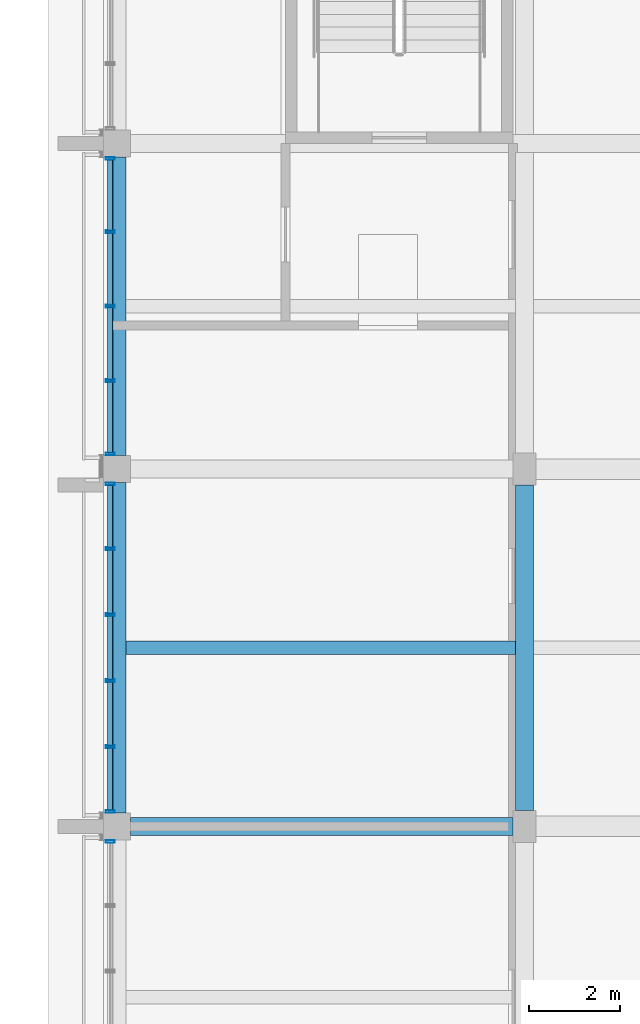
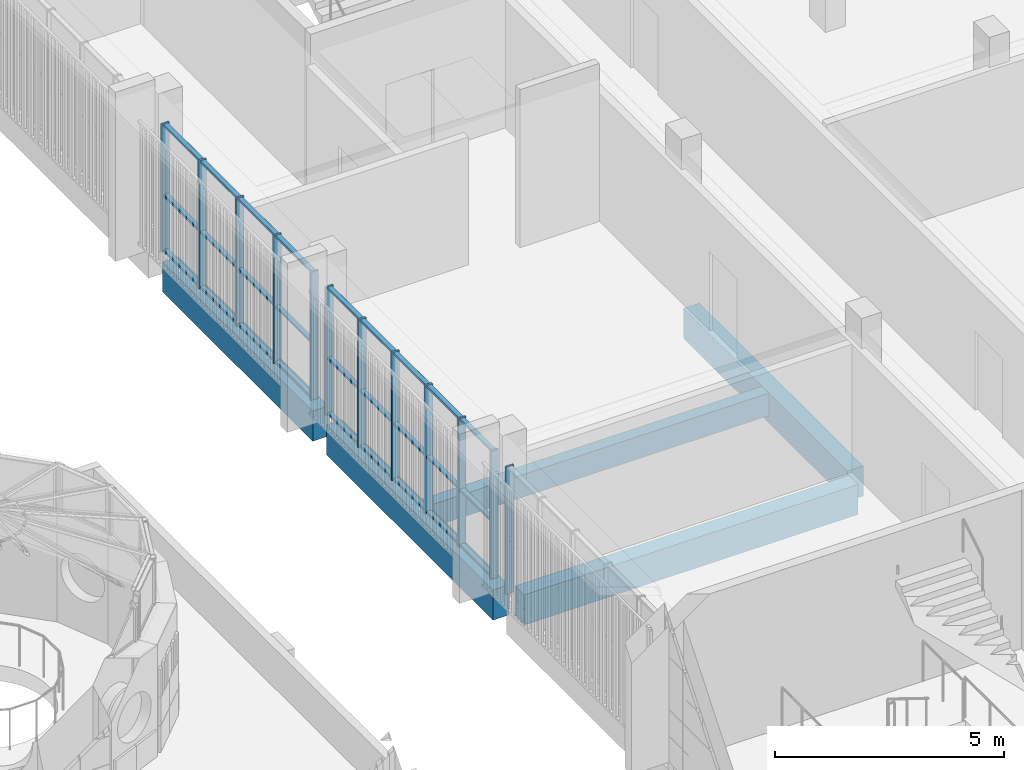
# One storey, part 20 of 98: 39 members, 5 beams, 3 elements without a shape of their own.
"""IFC4 building model written with IfcOpenShell, lengths in metres."""

import ifcopenshell
import ifcopenshell.guid

model = None  # the IFC model being written
_history = None  # IfcOwnerHistory: only IFC2X3 demands one
_inside = {}  # id of a spatial element -> (the spatial element, [elements in it])
_under = {}  # id of a project, library or spatial element -> (it, [spatial elements below it])
_declared = {}  # id of a project -> (the project, [libraries it declares])
_typed = {}  # id of a type object -> (the type object, [elements of that type])
_made_of = {}  # id of a material, layer set ... -> (it, [elements and type objects made of it])


def new_model(schema):
    """Start an empty IFC model of exactly this schema.

    Asked for "IFC4X3", IfcOpenShell would pick the latest addendum, in which some entities
    have other attributes; the version numbers below select the first issue.
    IFC2X3 requires an IfcOwnerHistory on every rooted entity: one is made here for all.
    """
    global model, _history
    if schema == "IFC4X3":
        model = ifcopenshell.file(schema_version=(4, 3, 0, 0))
    else:
        model = ifcopenshell.file(schema=schema)
    _inside.clear()
    _under.clear()
    _declared.clear()
    _typed.clear()
    _made_of.clear()
    _history = None
    if model.schema == "IFC2X3":
        org = make("IfcOrganization", Name="unknown")
        user = make(
            "IfcPersonAndOrganization",
            ThePerson=make("IfcPerson", FamilyName="unknown"),
            TheOrganization=org,
        )
        app = make(
            "IfcApplication",
            ApplicationDeveloper=org,
            Version="unknown",
            ApplicationFullName="unknown",
            ApplicationIdentifier="unknown",
        )
        _history = make(
            "IfcOwnerHistory",
            OwningUser=user,
            OwningApplication=app,
            ChangeAction="ADDED",
            CreationDate=0,
        )
    return model


def make(cls, **values):
    """One entity of the class cls with the attributes given. An attribute that is None is left unset."""
    return model.create_entity(
        cls, **{name: value for name, value in values.items() if value is not None}
    )


def rooted(cls, **values):
    """An entity with a GlobalId (a new one), such as an element, a storey or a relation."""
    return make(cls, GlobalId=ifcopenshell.guid.new(), OwnerHistory=_history, **values)


def si_unit(unit_type, name, prefix=None):
    """IfcSIUnit, for example si_unit("LENGTHUNIT", "METRE", prefix="MILLI")."""
    return make("IfcSIUnit", UnitType=unit_type, Prefix=prefix, Name=name)


def assignment(units):
    """IfcUnitAssignment: the units of a project."""
    return None if units is None else make("IfcUnitAssignment", Units=units)


def point(xyz):
    """IfcCartesianPoint."""
    return None if xyz is None else make("IfcCartesianPoint", Coordinates=xyz)


def direction(xyz):
    """IfcDirection."""
    return None if xyz is None else make("IfcDirection", DirectionRatios=xyz)


def frame(location, z_axis=None, x_axis=None):
    """IfcAxis2Placement3D, a coordinate frame: its origin and axes. An axis left out is left unset."""
    return make(
        "IfcAxis2Placement3D",
        Location=point(location),
        Axis=direction(z_axis),
        RefDirection=direction(x_axis),
    )


def frame_2d(location, x_axis=None):
    """IfcAxis2Placement2D, a coordinate frame in the plane: its origin and x axis."""
    return make(
        "IfcAxis2Placement2D", Location=point(location), RefDirection=direction(x_axis)
    )


def origin():
    """The frame at (0, 0, 0) with its axes left unset."""
    return frame((0.0, 0.0, 0.0))


def origin_2d():
    """The frame at (0, 0) in the plane with its x axis left unset."""
    return frame_2d((0.0, 0.0))


def place(relative_to, where):
    """IfcLocalPlacement: puts the frame where relative to a parent placement (None: the world)."""
    return make(
        "IfcLocalPlacement", PlacementRelTo=relative_to, RelativePlacement=where
    )


def context(
    kind, dimensions, precision=None, world=None, true_north=None, identifier=None
):
    """IfcGeometricRepresentationContext, for example the 3D "Model" context."""
    return make(
        "IfcGeometricRepresentationContext",
        ContextIdentifier=identifier,
        ContextType=kind,
        CoordinateSpaceDimension=dimensions,
        Precision=precision,
        WorldCoordinateSystem=world,
        TrueNorth=true_north,
    )


def subcontext(parent, identifier, kind, view, scale=None):
    """IfcGeometricRepresentationSubContext, for example "Body" below "Model"."""
    return make(
        "IfcGeometricRepresentationSubContext",
        ContextIdentifier=identifier,
        ContextType=kind,
        ParentContext=parent,
        TargetScale=scale,
        TargetView=view,
    )


def project(units=None, contexts=None):
    """IfcProject with its units and contexts."""
    return rooted(
        "IfcProject",
        Name="project",
        RepresentationContexts=contexts,
        UnitsInContext=assignment(units),
    )


def spatial(cls, under=None, at=None, **own):
    """A site, building, storey or space (cls), placed at a placement, below another one or the project."""
    s = rooted(cls, ObjectPlacement=at, **own)
    if under is not None:
        _under.setdefault(under.id(), (under, []))[1].append(s)
    return s


def profile(cls, at=None, kind="AREA", **sizes):
    """A parametric profile (cls). Its sizes go by their IFC names, for example OverallWidth=200.0."""
    return make(cls, ProfileType=kind, Position=at, **sizes)


def rectangle(**sizes):
    """IfcRectangleProfileDef."""
    return profile("IfcRectangleProfileDef", **sizes)


def hollow_rectangle(**sizes):
    """IfcRectangleHollowProfileDef."""
    return profile("IfcRectangleHollowProfileDef", **sizes)


def extrude(swept, where, along, depth):
    """IfcExtrudedAreaSolid: the profile swept, set in the frame where, extruded along a direction by depth."""
    return make(
        "IfcExtrudedAreaSolid",
        SweptArea=swept,
        Position=where,
        ExtrudedDirection=direction(along),
        Depth=depth,
    )


def shape(context_of_items, identifier, shape_type, items):
    """IfcShapeRepresentation: the items that make up one representation, for example the "Body"."""
    return make(
        "IfcShapeRepresentation",
        ContextOfItems=context_of_items,
        RepresentationIdentifier=identifier,
        RepresentationType=shape_type,
        Items=items,
    )


def material(Name=None, Category=None):
    """IfcMaterial."""
    return make("IfcMaterial", Name=Name, Category=Category)


def material_profile(
    of_material, cross_section, Name=None, Category=None, Priority=None
):
    """IfcMaterialProfile: a cross section and its material."""
    return make(
        "IfcMaterialProfile",
        Name=Name,
        Material=of_material,
        Profile=cross_section,
        Priority=Priority,
        Category=Category,
    )


def profile_set(profiles, Name=None, composite=None):
    """IfcMaterialProfileSet."""
    return make(
        "IfcMaterialProfileSet",
        Name=Name,
        MaterialProfiles=profiles,
        CompositeProfile=composite,
    )


def made_of(thing, what):
    """Note that an element or type object is made of a material, layer set ...; save() writes the relation."""
    if what is not None:
        _made_of.setdefault(what.id(), (what, []))[1].append(thing)
    return thing


def type_object(cls, material=None, **own):
    """A type object (cls), such as IfcWallType, which elements share."""
    return made_of(rooted(cls, **own), material)


def element(
    cls,
    number,
    at=None,
    inside=None,
    cuts=None,
    type_object=None,
    material=None,
    context=None,
    identifier="Body",
    shape_type=None,
    held_by="IfcProductDefinitionShape",
    body=None,
    shapes=None,
    **own,
):
    """One element of the class cls, such as IfcWall. Its Tag is "e" and its number.

    at: its placement. inside: the storey or other place that contains it. cuts: it is an
    opening in that element (IfcRelVoidsElement). A single representation is given by context,
    identifier, shape_type and body (its items); several are given by shapes. held_by: the class
    of the entity that holds the representations. save() writes the other relations.
    """
    e = rooted(cls, Tag="e%d" % number, ObjectPlacement=at, **own)
    if body is not None:
        shapes = [shape(context, identifier, shape_type, body)]
    if shapes is not None:
        e.Representation = make(held_by, Representations=shapes)
    if inside is not None:
        _inside.setdefault(inside.id(), (inside, []))[1].append(e)
    if cuts is not None:
        rooted(
            "IfcRelVoidsElement", RelatingBuildingElement=cuts, RelatedOpeningElement=e
        )
    if type_object is not None:
        _typed.setdefault(type_object.id(), (type_object, []))[1].append(e)
    return made_of(e, material)


def aggregate(whole, parts):
    """IfcRelAggregates: a whole, such as a stair, and the parts it consists of."""
    return rooted("IfcRelAggregates", RelatingObject=whole, RelatedObjects=parts)


def save(model, path):
    """Write the relations noted so far, then the file.

    IfcRelAggregates (storeys below a building ...), IfcRelContainedInSpatialStructure (elements
    in a storey), IfcRelDefinesByType, IfcRelAssociatesMaterial and IfcRelDeclares: one each for
    every whole, place, type object, material and project.
    """
    for whole, parts in _under.values():
        aggregate(whole, parts)
    for where, things in _inside.values():
        rooted(
            "IfcRelContainedInSpatialStructure",
            RelatedElements=things,
            RelatingStructure=where,
        )
    for kind, things in _typed.values():
        rooted("IfcRelDefinesByType", RelatedObjects=things, RelatingType=kind)
    for what, things in _made_of.values():
        rooted("IfcRelAssociatesMaterial", RelatedObjects=things, RelatingMaterial=what)
    for by, libraries in _declared.values():
        rooted("IfcRelDeclares", RelatingContext=by, RelatedDefinitions=libraries)
    model.write(path)


model = new_model("IFC4")

# Units and contexts
model_context = context("Model", 3, precision=1e-05, world=origin(), true_north=direction((0.0, 1.0)))
body_context = subcontext(model_context, "Body", "Model", "MODEL_VIEW")
ifc_project = project(units=[si_unit("LENGTHUNIT", "METRE"), si_unit("AREAUNIT", "SQUARE_METRE"), si_unit("VOLUMEUNIT", "CUBIC_METRE"), si_unit("PLANEANGLEUNIT", "RADIAN"), si_unit("MASSUNIT", "GRAM", prefix="KILO")], contexts=[model_context])

# Site, building, storey
site_placement = place(None, origin())
site = spatial("IfcSite", under=ifc_project, at=site_placement, CompositionType="ELEMENT")
building_placement = place(site_placement, origin())
building = spatial("IfcBuilding", under=site, at=building_placement, Name="Sun Court Science Centre", CompositionType="ELEMENT")
storey_placement = place(building_placement, frame((0.0, 0.0, 15.75)))
storey = spatial("IfcBuildingStorey", under=building, at=storey_placement, Name="L03", CompositionType="ELEMENT", Elevation=15.75)

# Curtain wall, member
ifc_material_1 = material(Name="Aluminium EN AW-6063 T6", Category="aluminium")
curtain_wall_type = type_object("IfcCurtainWallType", Name="Laboratory tall bay curtain wall 1500", PredefinedType="NOTDEFINED", material=ifc_material_1)
curtain_wall_1_placement = place(storey_placement, origin())
curtain_wall_1 = element("IfcCurtainWall", 1, at=curtain_wall_1_placement, inside=storey, type_object=curtain_wall_type, Name="Curtain wall V4 W L03 01", PredefinedType="NOTDEFINED")
ifc_material_2 = material(Name="Aluminium EN AW-6063 T6", Category="aluminium")
ifc_material_profile_1 = material_profile(ifc_material_2, hollow_rectangle(XDim=0.06005859375, YDim=0.199951171875, WallThickness=0.0048828125, InnerFilletRadius=0.0048828125, OuterFilletRadius=0.007568359375, at=origin_2d()), Name="AL 60x200x5")
ifc_profile_set_1 = profile_set([ifc_material_profile_1], Name="Aluminium EN AW-6063 T6")
member_type_1 = type_object("IfcMemberType", Name="Curtain wall mullion AL 60x200", PredefinedType="MULLION", material=ifc_profile_set_1)
member_1_placement = place(storey_placement, frame((78.14990234375, 20.669921875, 0.0), z_axis=(0.0, 0.0, 1.0), x_axis=(0.0, 1.0, 0.0)))
member_1 = element("IfcMember", 2, at=member_1_placement, type_object=member_type_1, Name="CW2-28 mullion 6", PredefinedType="MULLION", context=body_context, shape_type="SweptSolid", body=[
    extrude(hollow_rectangle(XDim=0.06005859375, YDim=0.199951171875, WallThickness=0.0048828125, InnerFilletRadius=0.0048828125, OuterFilletRadius=0.007568359375, at=origin_2d()), origin(), (0.0, 0.0, 1.0), 3.3798828125),
])
aggregate(curtain_wall_1, [member_1])

# Curtain wall, members
curtain_wall_2_placement = place(storey_placement, origin())
curtain_wall_2 = element("IfcCurtainWall", 3, at=curtain_wall_2_placement, inside=storey, type_object=curtain_wall_type, Name="Curtain wall V4 W L03 02", PredefinedType="NOTDEFINED")
member_2_placement = place(storey_placement, frame((78.14990234375, 21.330078125, 0.0), z_axis=(0.0, 0.0, 1.0), x_axis=(0.0, 1.0, 0.0)))
member_2 = element("IfcMember", 4, at=member_2_placement, type_object=member_type_1, Name="CW2-29 mullion 1", PredefinedType="MULLION", context=body_context, shape_type="SweptSolid", body=[
    extrude(hollow_rectangle(XDim=0.06005859375, YDim=0.199951171875, WallThickness=0.0048828125, InnerFilletRadius=0.0048828125, OuterFilletRadius=0.007568359375, at=origin_2d()), origin(), (0.0, 0.0, 1.0), 3.39990234375),
])
member_3_placement = place(storey_placement, frame((78.14990234375, 22.75, 0.0), z_axis=(0.0, 0.0, 1.0), x_axis=(0.0, 1.0, 0.0)))
member_3 = element("IfcMember", 5, at=member_3_placement, type_object=member_type_1, Name="CW2-29 mullion 2", PredefinedType="MULLION", context=body_context, shape_type="SweptSolid", body=[
    extrude(hollow_rectangle(XDim=0.06005859375, YDim=0.199951171875, WallThickness=0.0048828125, InnerFilletRadius=0.0048828125, OuterFilletRadius=0.007568359375, at=origin_2d()), origin(), (0.0, 0.0, 1.0), 3.39990234375),
])
member_4_placement = place(storey_placement, frame((78.14990234375, 24.199951171875, 0.0), z_axis=(0.0, 0.0, 1.0), x_axis=(0.0, 1.0, 0.0)))
member_4 = element("IfcMember", 6, at=member_4_placement, type_object=member_type_1, Name="CW2-29 mullion 3", PredefinedType="MULLION", context=body_context, shape_type="SweptSolid", body=[
    extrude(hollow_rectangle(XDim=0.06005859375, YDim=0.199951171875, WallThickness=0.0048828125, InnerFilletRadius=0.0048828125, OuterFilletRadius=0.007568359375, at=origin_2d()), origin(), (0.0, 0.0, 1.0), 3.39990234375),
])
member_5_placement = place(storey_placement, frame((78.14990234375, 25.64990234375, 0.0), z_axis=(0.0, 0.0, 1.0), x_axis=(0.0, 1.0, 0.0)))
member_5 = element("IfcMember", 7, at=member_5_placement, type_object=member_type_1, Name="CW2-29 mullion 4", PredefinedType="MULLION", context=body_context, shape_type="SweptSolid", body=[
    extrude(hollow_rectangle(XDim=0.06005859375, YDim=0.199951171875, WallThickness=0.0048828125, InnerFilletRadius=0.0048828125, OuterFilletRadius=0.007568359375, at=origin_2d()), origin(), (0.0, 0.0, 1.0), 3.39990234375),
])
member_6_placement = place(storey_placement, frame((78.14990234375, 27.10009765625, 0.0), z_axis=(0.0, 0.0, 1.0), x_axis=(0.0, 1.0, 0.0)))
member_6 = element("IfcMember", 8, at=member_6_placement, type_object=member_type_1, Name="CW2-29 mullion 5", PredefinedType="MULLION", context=body_context, shape_type="SweptSolid", body=[
    extrude(hollow_rectangle(XDim=0.06005859375, YDim=0.199951171875, WallThickness=0.0048828125, InnerFilletRadius=0.0048828125, OuterFilletRadius=0.007568359375, at=origin_2d()), origin(), (0.0, 0.0, 1.0), 3.39990234375),
])
member_7_placement = place(storey_placement, frame((78.14990234375, 28.52001953125, 0.0), z_axis=(0.0, 0.0, 1.0), x_axis=(0.0, 1.0, 0.0)))
member_7 = element("IfcMember", 9, at=member_7_placement, type_object=member_type_1, Name="CW2-29 mullion 6", PredefinedType="MULLION", context=body_context, shape_type="SweptSolid", body=[
    extrude(hollow_rectangle(XDim=0.06005859375, YDim=0.199951171875, WallThickness=0.0048828125, InnerFilletRadius=0.0048828125, OuterFilletRadius=0.007568359375, at=origin_2d()), origin(), (0.0, 0.0, 1.0), 3.39990234375),
])

curtain_wall_3_placement = place(storey_placement, origin())
curtain_wall_3 = element("IfcCurtainWall", 10, at=curtain_wall_3_placement, inside=storey, type_object=curtain_wall_type, Name="Curtain wall V4 W L03 03", PredefinedType="NOTDEFINED")
member_8_placement = place(storey_placement, frame((78.14990234375, 29.179931640625, 0.0), z_axis=(0.0, 0.0, 1.0), x_axis=(0.0, 1.0, 0.0)))
member_8 = element("IfcMember", 11, at=member_8_placement, type_object=member_type_1, Name="CW2-30 mullion 1", PredefinedType="MULLION", context=body_context, shape_type="SweptSolid", body=[
    extrude(hollow_rectangle(XDim=0.06005859375, YDim=0.199951171875, WallThickness=0.0048828125, InnerFilletRadius=0.0048828125, OuterFilletRadius=0.007568359375, at=origin_2d()), origin(), (0.0, 0.0, 1.0), 3.39990234375),
])
member_9_placement = place(storey_placement, frame((78.14990234375, 30.78759765625, 0.0), z_axis=(0.0, 0.0, 1.0), x_axis=(0.0, 1.0, 0.0)))
member_9 = element("IfcMember", 12, at=member_9_placement, type_object=member_type_1, Name="CW2-30 mullion 2", PredefinedType="MULLION", context=body_context, shape_type="SweptSolid", body=[
    extrude(hollow_rectangle(XDim=0.06005859375, YDim=0.199951171875, WallThickness=0.0048828125, InnerFilletRadius=0.0048828125, OuterFilletRadius=0.007568359375, at=origin_2d()), origin(), (0.0, 0.0, 1.0), 3.39990234375),
])
member_10_placement = place(storey_placement, frame((78.14990234375, 32.425048828125, 0.0), z_axis=(0.0, 0.0, 1.0), x_axis=(0.0, 1.0, 0.0)))
member_10 = element("IfcMember", 13, at=member_10_placement, type_object=member_type_1, Name="CW2-30 mullion 3", PredefinedType="MULLION", context=body_context, shape_type="SweptSolid", body=[
    extrude(hollow_rectangle(XDim=0.06005859375, YDim=0.199951171875, WallThickness=0.0048828125, InnerFilletRadius=0.0048828125, OuterFilletRadius=0.007568359375, at=origin_2d()), origin(), (0.0, 0.0, 1.0), 3.39990234375),
])
member_11_placement = place(storey_placement, frame((78.14990234375, 34.0625, 0.0), z_axis=(0.0, 0.0, 1.0), x_axis=(0.0, 1.0, 0.0)))
member_11 = element("IfcMember", 14, at=member_11_placement, type_object=member_type_1, Name="CW2-30 mullion 4", PredefinedType="MULLION", context=body_context, shape_type="SweptSolid", body=[
    extrude(hollow_rectangle(XDim=0.06005859375, YDim=0.199951171875, WallThickness=0.0048828125, InnerFilletRadius=0.0048828125, OuterFilletRadius=0.007568359375, at=origin_2d()), origin(), (0.0, 0.0, 1.0), 3.39990234375),
])
member_12_placement = place(storey_placement, frame((78.14990234375, 35.669921875, 0.0), z_axis=(0.0, 0.0, 1.0), x_axis=(0.0, 1.0, 0.0)))
member_12 = element("IfcMember", 15, at=member_12_placement, type_object=member_type_1, Name="CW2-30 mullion 5", PredefinedType="MULLION", context=body_context, shape_type="SweptSolid", body=[
    extrude(hollow_rectangle(XDim=0.06005859375, YDim=0.199951171875, WallThickness=0.0048828125, InnerFilletRadius=0.0048828125, OuterFilletRadius=0.007568359375, at=origin_2d()), origin(), (0.0, 0.0, 1.0), 3.39990234375),
])

# Member
ifc_material_3 = material(Name="Aluminium EN AW-6063 T6", Category="aluminium")
ifc_material_profile_2 = material_profile(ifc_material_3, hollow_rectangle(XDim=0.06005859375, YDim=0.1201171875, WallThickness=0.00390625, InnerFilletRadius=0.00390625, OuterFilletRadius=0.006103515625, at=origin_2d()), Name="AL 60x120x4")
ifc_profile_set_2 = profile_set([ifc_material_profile_2], Name="Aluminium EN AW-6063 T6")
member_type_2 = type_object("IfcMemberType", Name="Curtain wall transom AL 60x120", PredefinedType="USERDEFINED", material=ifc_profile_set_2)
member_13_placement = place(storey_placement, frame((78.14990234375, 21.360107421875, 0.030029296875), z_axis=(0.0, 1.0, 0.0), x_axis=(0.0, 0.0, 1.0)))
member_13 = element("IfcMember", 16, at=member_13_placement, type_object=member_type_2, Name="CW2-29 transom 1.1", ObjectType="TRANSOM", PredefinedType="USERDEFINED", context=body_context, shape_type="SweptSolid", body=[
    extrude(hollow_rectangle(XDim=0.06005859375, YDim=0.1201171875, WallThickness=0.00390625, InnerFilletRadius=0.00390625, OuterFilletRadius=0.006103515625, at=origin_2d()), origin(), (0.0, 0.0, 1.0), 1.35986328125),
])

member_14_placement = place(storey_placement, frame((78.14990234375, 22.780029296875, 0.030029296875), z_axis=(0.0, 1.0, 0.0), x_axis=(0.0, 0.0, 1.0)))
member_14 = element("IfcMember", 17, at=member_14_placement, type_object=member_type_2, Name="CW2-29 transom 2.1", ObjectType="TRANSOM", PredefinedType="USERDEFINED", context=body_context, shape_type="SweptSolid", body=[
    extrude(hollow_rectangle(XDim=0.06005859375, YDim=0.1201171875, WallThickness=0.00390625, InnerFilletRadius=0.00390625, OuterFilletRadius=0.006103515625, at=origin_2d()), origin(), (0.0, 0.0, 1.0), 1.389892578125),
])

member_15_placement = place(storey_placement, frame((78.14990234375, 24.22998046875, 0.030029296875), z_axis=(0.0, 1.0, 0.0), x_axis=(0.0, 0.0, 1.0)))
member_15 = element("IfcMember", 18, at=member_15_placement, type_object=member_type_2, Name="CW2-29 transom 3.1", ObjectType="TRANSOM", PredefinedType="USERDEFINED", context=body_context, shape_type="SweptSolid", body=[
    extrude(hollow_rectangle(XDim=0.06005859375, YDim=0.1201171875, WallThickness=0.00390625, InnerFilletRadius=0.00390625, OuterFilletRadius=0.006103515625, at=origin_2d()), origin(), (0.0, 0.0, 1.0), 1.39013671875),
])

member_16_placement = place(storey_placement, frame((78.14990234375, 25.679931640625, 0.030029296875), z_axis=(0.0, 1.0, 0.0), x_axis=(0.0, 0.0, 1.0)))
member_16 = element("IfcMember", 19, at=member_16_placement, type_object=member_type_2, Name="CW2-29 transom 4.1", ObjectType="TRANSOM", PredefinedType="USERDEFINED", context=body_context, shape_type="SweptSolid", body=[
    extrude(hollow_rectangle(XDim=0.06005859375, YDim=0.1201171875, WallThickness=0.00390625, InnerFilletRadius=0.00390625, OuterFilletRadius=0.006103515625, at=origin_2d()), origin(), (0.0, 0.0, 1.0), 1.39013671875),
])

member_17_placement = place(storey_placement, frame((78.14990234375, 27.1298828125, 0.030029296875), z_axis=(0.0, 1.0, 0.0), x_axis=(0.0, 0.0, 1.0)))
member_17 = element("IfcMember", 20, at=member_17_placement, type_object=member_type_2, Name="CW2-29 transom 5.1", ObjectType="TRANSOM", PredefinedType="USERDEFINED", context=body_context, shape_type="SweptSolid", body=[
    extrude(hollow_rectangle(XDim=0.06005859375, YDim=0.1201171875, WallThickness=0.00390625, InnerFilletRadius=0.00390625, OuterFilletRadius=0.006103515625, at=origin_2d()), origin(), (0.0, 0.0, 1.0), 1.360107421875),
])

member_18_placement = place(storey_placement, frame((78.14990234375, 21.360107421875, 1.5), z_axis=(0.0, 1.0, 0.0), x_axis=(0.0, 0.0, 1.0)))
member_18 = element("IfcMember", 21, at=member_18_placement, type_object=member_type_2, Name="CW2-29 transom 1.2", ObjectType="TRANSOM", PredefinedType="USERDEFINED", context=body_context, shape_type="SweptSolid", body=[
    extrude(hollow_rectangle(XDim=0.06005859375, YDim=0.1201171875, WallThickness=0.00390625, InnerFilletRadius=0.00390625, OuterFilletRadius=0.006103515625, at=origin_2d()), origin(), (0.0, 0.0, 1.0), 1.35986328125),
])

member_19_placement = place(storey_placement, frame((78.14990234375, 22.780029296875, 1.5), z_axis=(0.0, 1.0, 0.0), x_axis=(0.0, 0.0, 1.0)))
member_19 = element("IfcMember", 22, at=member_19_placement, type_object=member_type_2, Name="CW2-29 transom 2.2", ObjectType="TRANSOM", PredefinedType="USERDEFINED", context=body_context, shape_type="SweptSolid", body=[
    extrude(hollow_rectangle(XDim=0.06005859375, YDim=0.1201171875, WallThickness=0.00390625, InnerFilletRadius=0.00390625, OuterFilletRadius=0.006103515625, at=origin_2d()), origin(), (0.0, 0.0, 1.0), 1.389892578125),
])

member_20_placement = place(storey_placement, frame((78.14990234375, 24.22998046875, 1.5), z_axis=(0.0, 1.0, 0.0), x_axis=(0.0, 0.0, 1.0)))
member_20 = element("IfcMember", 23, at=member_20_placement, type_object=member_type_2, Name="CW2-29 transom 3.2", ObjectType="TRANSOM", PredefinedType="USERDEFINED", context=body_context, shape_type="SweptSolid", body=[
    extrude(hollow_rectangle(XDim=0.06005859375, YDim=0.1201171875, WallThickness=0.00390625, InnerFilletRadius=0.00390625, OuterFilletRadius=0.006103515625, at=origin_2d()), origin(), (0.0, 0.0, 1.0), 1.39013671875),
])

member_21_placement = place(storey_placement, frame((78.14990234375, 25.679931640625, 1.5), z_axis=(0.0, 1.0, 0.0), x_axis=(0.0, 0.0, 1.0)))
member_21 = element("IfcMember", 24, at=member_21_placement, type_object=member_type_2, Name="CW2-29 transom 4.2", ObjectType="TRANSOM", PredefinedType="USERDEFINED", context=body_context, shape_type="SweptSolid", body=[
    extrude(hollow_rectangle(XDim=0.06005859375, YDim=0.1201171875, WallThickness=0.00390625, InnerFilletRadius=0.00390625, OuterFilletRadius=0.006103515625, at=origin_2d()), origin(), (0.0, 0.0, 1.0), 1.39013671875),
])

member_22_placement = place(storey_placement, frame((78.14990234375, 27.1298828125, 1.5), z_axis=(0.0, 1.0, 0.0), x_axis=(0.0, 0.0, 1.0)))
member_22 = element("IfcMember", 25, at=member_22_placement, type_object=member_type_2, Name="CW2-29 transom 5.2", ObjectType="TRANSOM", PredefinedType="USERDEFINED", context=body_context, shape_type="SweptSolid", body=[
    extrude(hollow_rectangle(XDim=0.06005859375, YDim=0.1201171875, WallThickness=0.00390625, InnerFilletRadius=0.00390625, OuterFilletRadius=0.006103515625, at=origin_2d()), origin(), (0.0, 0.0, 1.0), 1.360107421875),
])

member_23_placement = place(storey_placement, frame((78.14990234375, 21.360107421875, 3.3701171875), z_axis=(0.0, 1.0, 0.0), x_axis=(0.0, 0.0, 1.0)))
member_23 = element("IfcMember", 26, at=member_23_placement, type_object=member_type_2, Name="CW2-29 transom 1.3", ObjectType="TRANSOM", PredefinedType="USERDEFINED", context=body_context, shape_type="SweptSolid", body=[
    extrude(hollow_rectangle(XDim=0.06005859375, YDim=0.1201171875, WallThickness=0.00390625, InnerFilletRadius=0.00390625, OuterFilletRadius=0.006103515625, at=origin_2d()), origin(), (0.0, 0.0, 1.0), 1.35986328125),
])

member_24_placement = place(storey_placement, frame((78.14990234375, 22.780029296875, 3.3701171875), z_axis=(0.0, 1.0, 0.0), x_axis=(0.0, 0.0, 1.0)))
member_24 = element("IfcMember", 27, at=member_24_placement, type_object=member_type_2, Name="CW2-29 transom 2.3", ObjectType="TRANSOM", PredefinedType="USERDEFINED", context=body_context, shape_type="SweptSolid", body=[
    extrude(hollow_rectangle(XDim=0.06005859375, YDim=0.1201171875, WallThickness=0.00390625, InnerFilletRadius=0.00390625, OuterFilletRadius=0.006103515625, at=origin_2d()), origin(), (0.0, 0.0, 1.0), 1.389892578125),
])

member_25_placement = place(storey_placement, frame((78.14990234375, 24.22998046875, 3.3701171875), z_axis=(0.0, 1.0, 0.0), x_axis=(0.0, 0.0, 1.0)))
member_25 = element("IfcMember", 28, at=member_25_placement, type_object=member_type_2, Name="CW2-29 transom 3.3", ObjectType="TRANSOM", PredefinedType="USERDEFINED", context=body_context, shape_type="SweptSolid", body=[
    extrude(hollow_rectangle(XDim=0.06005859375, YDim=0.1201171875, WallThickness=0.00390625, InnerFilletRadius=0.00390625, OuterFilletRadius=0.006103515625, at=origin_2d()), origin(), (0.0, 0.0, 1.0), 1.39013671875),
])

member_26_placement = place(storey_placement, frame((78.14990234375, 25.679931640625, 3.3701171875), z_axis=(0.0, 1.0, 0.0), x_axis=(0.0, 0.0, 1.0)))
member_26 = element("IfcMember", 29, at=member_26_placement, type_object=member_type_2, Name="CW2-29 transom 4.3", ObjectType="TRANSOM", PredefinedType="USERDEFINED", context=body_context, shape_type="SweptSolid", body=[
    extrude(hollow_rectangle(XDim=0.06005859375, YDim=0.1201171875, WallThickness=0.00390625, InnerFilletRadius=0.00390625, OuterFilletRadius=0.006103515625, at=origin_2d()), origin(), (0.0, 0.0, 1.0), 1.39013671875),
])

member_27_placement = place(storey_placement, frame((78.14990234375, 27.1298828125, 3.3701171875), z_axis=(0.0, 1.0, 0.0), x_axis=(0.0, 0.0, 1.0)))
member_27 = element("IfcMember", 30, at=member_27_placement, type_object=member_type_2, Name="CW2-29 transom 5.3", ObjectType="TRANSOM", PredefinedType="USERDEFINED", context=body_context, shape_type="SweptSolid", body=[
    extrude(hollow_rectangle(XDim=0.06005859375, YDim=0.1201171875, WallThickness=0.00390625, InnerFilletRadius=0.00390625, OuterFilletRadius=0.006103515625, at=origin_2d()), origin(), (0.0, 0.0, 1.0), 1.360107421875),
])

aggregate(curtain_wall_2, [member_2, member_3, member_4, member_5, member_6, member_7, member_13, member_14, member_15, member_16, member_17, member_18, member_19, member_20, member_21, member_22, member_23, member_24, member_25, member_26, member_27])

member_28_placement = place(storey_placement, frame((78.14990234375, 29.2099609375, 0.030029296875), z_axis=(0.0, 1.0, 0.0), x_axis=(0.0, 0.0, 1.0)))
member_28 = element("IfcMember", 31, at=member_28_placement, type_object=member_type_2, Name="CW2-30 transom 1.1", ObjectType="TRANSOM", PredefinedType="USERDEFINED", context=body_context, shape_type="SweptSolid", body=[
    extrude(hollow_rectangle(XDim=0.06005859375, YDim=0.1201171875, WallThickness=0.00390625, InnerFilletRadius=0.00390625, OuterFilletRadius=0.006103515625, at=origin_2d()), origin(), (0.0, 0.0, 1.0), 1.547607421875),
])

member_29_placement = place(storey_placement, frame((78.14990234375, 30.8173828125, 0.030029296875), z_axis=(0.0, 1.0, 0.0), x_axis=(0.0, 0.0, 1.0)))
member_29 = element("IfcMember", 32, at=member_29_placement, type_object=member_type_2, Name="CW2-30 transom 2.1", ObjectType="TRANSOM", PredefinedType="USERDEFINED", context=body_context, shape_type="SweptSolid", body=[
    extrude(hollow_rectangle(XDim=0.06005859375, YDim=0.1201171875, WallThickness=0.00390625, InnerFilletRadius=0.00390625, OuterFilletRadius=0.006103515625, at=origin_2d()), origin(), (0.0, 0.0, 1.0), 1.57763671875),
])

member_30_placement = place(storey_placement, frame((78.14990234375, 32.455078125, 0.030029296875), z_axis=(0.0, 1.0, 0.0), x_axis=(0.0, 0.0, 1.0)))
member_30 = element("IfcMember", 33, at=member_30_placement, type_object=member_type_2, Name="CW2-30 transom 3.1", ObjectType="TRANSOM", PredefinedType="USERDEFINED", context=body_context, shape_type="SweptSolid", body=[
    extrude(hollow_rectangle(XDim=0.06005859375, YDim=0.1201171875, WallThickness=0.00390625, InnerFilletRadius=0.00390625, OuterFilletRadius=0.006103515625, at=origin_2d()), origin(), (0.0, 0.0, 1.0), 1.577392578125),
])

member_31_placement = place(storey_placement, frame((78.14990234375, 34.092529296875, 0.030029296875), z_axis=(0.0, 1.0, 0.0), x_axis=(0.0, 0.0, 1.0)))
member_31 = element("IfcMember", 34, at=member_31_placement, type_object=member_type_2, Name="CW2-30 transom 4.1", ObjectType="TRANSOM", PredefinedType="USERDEFINED", context=body_context, shape_type="SweptSolid", body=[
    extrude(hollow_rectangle(XDim=0.06005859375, YDim=0.1201171875, WallThickness=0.00390625, InnerFilletRadius=0.00390625, OuterFilletRadius=0.006103515625, at=origin_2d()), origin(), (0.0, 0.0, 1.0), 1.54736328125),
])

member_32_placement = place(storey_placement, frame((78.14990234375, 29.2099609375, 1.5), z_axis=(0.0, 1.0, 0.0), x_axis=(0.0, 0.0, 1.0)))
member_32 = element("IfcMember", 35, at=member_32_placement, type_object=member_type_2, Name="CW2-30 transom 1.2", ObjectType="TRANSOM", PredefinedType="USERDEFINED", context=body_context, shape_type="SweptSolid", body=[
    extrude(hollow_rectangle(XDim=0.06005859375, YDim=0.1201171875, WallThickness=0.00390625, InnerFilletRadius=0.00390625, OuterFilletRadius=0.006103515625, at=origin_2d()), origin(), (0.0, 0.0, 1.0), 1.547607421875),
])

member_33_placement = place(storey_placement, frame((78.14990234375, 30.8173828125, 1.5), z_axis=(0.0, 1.0, 0.0), x_axis=(0.0, 0.0, 1.0)))
member_33 = element("IfcMember", 36, at=member_33_placement, type_object=member_type_2, Name="CW2-30 transom 2.2", ObjectType="TRANSOM", PredefinedType="USERDEFINED", context=body_context, shape_type="SweptSolid", body=[
    extrude(hollow_rectangle(XDim=0.06005859375, YDim=0.1201171875, WallThickness=0.00390625, InnerFilletRadius=0.00390625, OuterFilletRadius=0.006103515625, at=origin_2d()), origin(), (0.0, 0.0, 1.0), 1.57763671875),
])

member_34_placement = place(storey_placement, frame((78.14990234375, 32.455078125, 1.5), z_axis=(0.0, 1.0, 0.0), x_axis=(0.0, 0.0, 1.0)))
member_34 = element("IfcMember", 37, at=member_34_placement, type_object=member_type_2, Name="CW2-30 transom 3.2", ObjectType="TRANSOM", PredefinedType="USERDEFINED", context=body_context, shape_type="SweptSolid", body=[
    extrude(hollow_rectangle(XDim=0.06005859375, YDim=0.1201171875, WallThickness=0.00390625, InnerFilletRadius=0.00390625, OuterFilletRadius=0.006103515625, at=origin_2d()), origin(), (0.0, 0.0, 1.0), 1.577392578125),
])

member_35_placement = place(storey_placement, frame((78.14990234375, 34.092529296875, 1.5), z_axis=(0.0, 1.0, 0.0), x_axis=(0.0, 0.0, 1.0)))
member_35 = element("IfcMember", 38, at=member_35_placement, type_object=member_type_2, Name="CW2-30 transom 4.2", ObjectType="TRANSOM", PredefinedType="USERDEFINED", context=body_context, shape_type="SweptSolid", body=[
    extrude(hollow_rectangle(XDim=0.06005859375, YDim=0.1201171875, WallThickness=0.00390625, InnerFilletRadius=0.00390625, OuterFilletRadius=0.006103515625, at=origin_2d()), origin(), (0.0, 0.0, 1.0), 1.54736328125),
])

member_36_placement = place(storey_placement, frame((78.14990234375, 29.2099609375, 3.3701171875), z_axis=(0.0, 1.0, 0.0), x_axis=(0.0, 0.0, 1.0)))
member_36 = element("IfcMember", 39, at=member_36_placement, type_object=member_type_2, Name="CW2-30 transom 1.3", ObjectType="TRANSOM", PredefinedType="USERDEFINED", context=body_context, shape_type="SweptSolid", body=[
    extrude(hollow_rectangle(XDim=0.06005859375, YDim=0.1201171875, WallThickness=0.00390625, InnerFilletRadius=0.00390625, OuterFilletRadius=0.006103515625, at=origin_2d()), origin(), (0.0, 0.0, 1.0), 1.547607421875),
])

member_37_placement = place(storey_placement, frame((78.14990234375, 30.8173828125, 3.3701171875), z_axis=(0.0, 1.0, 0.0), x_axis=(0.0, 0.0, 1.0)))
member_37 = element("IfcMember", 40, at=member_37_placement, type_object=member_type_2, Name="CW2-30 transom 2.3", ObjectType="TRANSOM", PredefinedType="USERDEFINED", context=body_context, shape_type="SweptSolid", body=[
    extrude(hollow_rectangle(XDim=0.06005859375, YDim=0.1201171875, WallThickness=0.00390625, InnerFilletRadius=0.00390625, OuterFilletRadius=0.006103515625, at=origin_2d()), origin(), (0.0, 0.0, 1.0), 1.57763671875),
])

member_38_placement = place(storey_placement, frame((78.14990234375, 32.455078125, 3.3701171875), z_axis=(0.0, 1.0, 0.0), x_axis=(0.0, 0.0, 1.0)))
member_38 = element("IfcMember", 41, at=member_38_placement, type_object=member_type_2, Name="CW2-30 transom 3.3", ObjectType="TRANSOM", PredefinedType="USERDEFINED", context=body_context, shape_type="SweptSolid", body=[
    extrude(hollow_rectangle(XDim=0.06005859375, YDim=0.1201171875, WallThickness=0.00390625, InnerFilletRadius=0.00390625, OuterFilletRadius=0.006103515625, at=origin_2d()), origin(), (0.0, 0.0, 1.0), 1.577392578125),
])

member_39_placement = place(storey_placement, frame((78.14990234375, 34.092529296875, 3.3701171875), z_axis=(0.0, 1.0, 0.0), x_axis=(0.0, 0.0, 1.0)))
member_39 = element("IfcMember", 42, at=member_39_placement, type_object=member_type_2, Name="CW2-30 transom 4.3", ObjectType="TRANSOM", PredefinedType="USERDEFINED", context=body_context, shape_type="SweptSolid", body=[
    extrude(hollow_rectangle(XDim=0.06005859375, YDim=0.1201171875, WallThickness=0.00390625, InnerFilletRadius=0.00390625, OuterFilletRadius=0.006103515625, at=origin_2d()), origin(), (0.0, 0.0, 1.0), 1.54736328125),
])

aggregate(curtain_wall_3, [member_8, member_9, member_10, member_11, member_12, member_28, member_29, member_30, member_31, member_32, member_33, member_34, member_35, member_36, member_37, member_38, member_39])

# Beams
ifc_material_4 = material(Name="Concrete C25/30", Category="concrete")
ifc_material_profile_3 = material_profile(ifc_material_4, rectangle(XDim=0.39990234375, YDim=0.800048828125, at=origin_2d()), Name="RC 400x800")
ifc_profile_set_3 = profile_set([ifc_material_profile_3], Name="Concrete C25/30")
beam_type_1 = type_object("IfcBeamType", Name="RC girder 400x800", PredefinedType="BEAM", material=ifc_profile_set_3)
beam_1_placement = place(storey_placement, frame((78.60009765625, 21.0, -0.699951171875), z_axis=(1.0, 0.0, 0.0), x_axis=(0.0, 1.0, 0.0)))
element("IfcBeam", 43, at=beam_1_placement, inside=storey, type_object=beam_type_1, Name="Girder L03 row 3", PredefinedType="BEAM", context=body_context, shape_type="SweptSolid", body=[
    extrude(rectangle(XDim=0.39990234375, YDim=0.800048828125, at=origin_2d()), origin(), (0.0, 0.0, 1.0), 8.39990234375),
])
beam_2_placement = place(storey_placement, frame((78.300048828125, 21.300048828125, -0.699951171875), z_axis=(0.0, 1.0, 0.0), x_axis=(-1.0, 0.0, 0.0)))
element("IfcBeam", 44, at=beam_2_placement, inside=storey, type_object=beam_type_1, Name="Girder L03 line 1", PredefinedType="BEAM", context=body_context, shape_type="SweptSolid", body=[
    extrude(rectangle(XDim=0.39990234375, YDim=0.800048828125, at=origin_2d()), origin(), (0.0, 0.0, 1.0), 7.25),
])
beam_3_placement = place(storey_placement, frame((78.300048828125, 29.14990234375, -0.699951171875), z_axis=(0.0, 1.0, 0.0), x_axis=(-1.0, 0.0, 0.0)))
element("IfcBeam", 45, at=beam_3_placement, inside=storey, type_object=beam_type_1, Name="Girder L03 line 1", PredefinedType="BEAM", context=body_context, shape_type="SweptSolid", body=[
    extrude(rectangle(XDim=0.39990234375, YDim=0.800048828125, at=origin_2d()), origin(), (0.0, 0.0, 1.0), 6.550048828125),
])
beam_4_placement = place(storey_placement, frame((87.25, 21.35009765625, -0.699951171875), z_axis=(0.0, 1.0, 0.0), x_axis=(-1.0, 0.0, 0.0)))
element("IfcBeam", 46, at=beam_4_placement, inside=storey, type_object=beam_type_1, Name="Girder L03 line 2", PredefinedType="BEAM", context=body_context, shape_type="SweptSolid", body=[
    extrude(rectangle(XDim=0.39990234375, YDim=0.800048828125, at=origin_2d()), origin(), (0.0, 0.0, 1.0), 7.14990234375),
])
ifc_material_5 = material(Name="Concrete C25/30", Category="concrete")
ifc_material_profile_4 = material_profile(ifc_material_5, rectangle(XDim=0.300048828125, YDim=0.60009765625, at=origin_2d()), Name="RC 300x600")
ifc_profile_set_4 = profile_set([ifc_material_profile_4], Name="Concrete C25/30")
beam_type_2 = type_object("IfcBeamType", Name="RC joist 300x600", PredefinedType="JOIST", material=ifc_profile_set_4)
beam_5_placement = place(storey_placement, frame((78.5, 24.925048828125, -0.60009765625), z_axis=(1.0, 0.0, 0.0), x_axis=(0.0, 1.0, 0.0)))
element("IfcBeam", 47, at=beam_5_placement, inside=storey, type_object=beam_type_2, Name="Joist L03", PredefinedType="JOIST", context=body_context, shape_type="SweptSolid", body=[
    extrude(rectangle(XDim=0.300048828125, YDim=0.60009765625, at=origin_2d()), origin(), (0.0, 0.0, 1.0), 8.550048828125),
])

save(model, "model.ifc")
